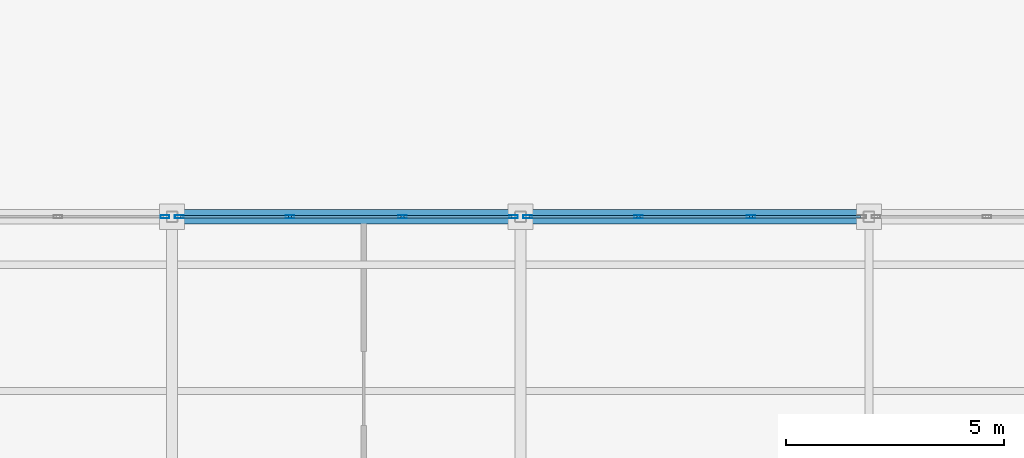
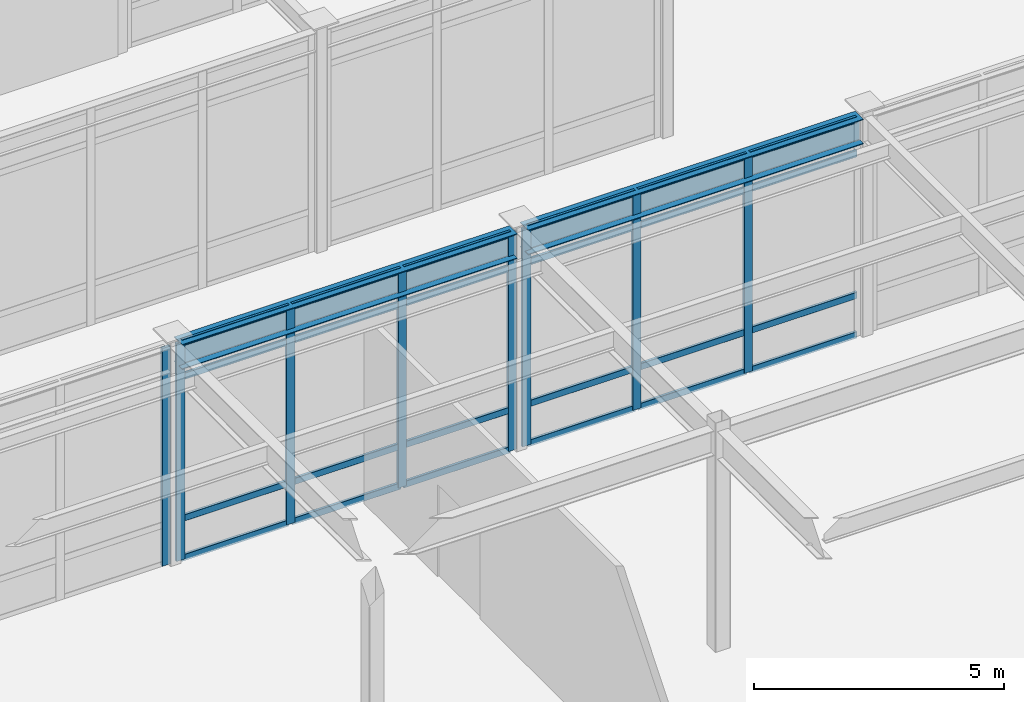
# One storey, part 55 of 128: 32 members, 2 beams, 3 elements without a shape of their own.
"""IFC4 building model written with IfcOpenShell, lengths in metres."""

from ifc_helpers import new_model, si_unit, direction, frame, origin, origin_2d, place, context, subcontext, project, spatial, hollow_rectangle, i_section, extrude, material, material_profile, profile_set, type_object, element, aggregate, save


model = new_model("IFC4")

# Units and contexts
model_context = context("Model", 3, precision=1e-05, world=origin(), true_north=direction((0.0, 1.0)))
body_context = subcontext(model_context, "Body", "Model", "MODEL_VIEW")
ifc_project = project(units=[si_unit("LENGTHUNIT", "METRE"), si_unit("AREAUNIT", "SQUARE_METRE"), si_unit("VOLUMEUNIT", "CUBIC_METRE"), si_unit("PLANEANGLEUNIT", "RADIAN"), si_unit("MASSUNIT", "GRAM", prefix="KILO")], contexts=[model_context])

# Site, building, storey
site_placement = place(None, origin())
site = spatial("IfcSite", under=ifc_project, at=site_placement, CompositionType="ELEMENT")
building_placement = place(site_placement, origin())
building = spatial("IfcBuilding", under=site, at=building_placement, Name="Solmirada Galleria", CompositionType="ELEMENT")
storey_placement = place(building_placement, origin())
storey = spatial("IfcBuildingStorey", under=building, at=storey_placement, Name="L00", CompositionType="ELEMENT", Elevation=0.0)

# Beams
ifc_material_1 = material(Name="Steel S355 / ASTM A992 Grade 50", Category="steel")
ifc_material_profile_1 = material_profile(ifc_material_1, i_section(OverallWidth=0.323974609375, OverallDepth=0.611083984375, WebThickness=0.0126953125, FlangeThickness=0.01904296875, FilletRadius=0.014892578125, at=origin_2d()), Name="W24X104")
ifc_profile_set_1 = profile_set([ifc_material_profile_1], Name="Steel S355 / ASTM A992 Grade 50")
beam_type = type_object("IfcBeamType", Name="BM-GIRD-W24A", PredefinedType="BEAM", material=ifc_profile_set_1)
for number, where, z_axis, x_axis, name in (
    (1, (120.126953125, 48.0, 5.054443359375), (1.0, 0.0, 0.0), (0.0, 1.0, 0.0), "Primary beam L01 X(120..128, 48)"),
    (2, (128.126953125, 48.0, 5.054443359375), (1.0, 0.0, 0.0), (0.0, 1.0, 0.0), "Primary beam L01 X(128..136, 48)"),
):
    element("IfcBeam", number, at=place(storey_placement, frame(where, z_axis=z_axis, x_axis=x_axis)), inside=storey, type_object=beam_type, Name=name, PredefinedType="BEAM", context=body_context, shape_type="SweptSolid", body=[
        extrude(i_section(OverallWidth=0.323974609375, OverallDepth=0.611083984375, WebThickness=0.0126953125, FlangeThickness=0.01904296875, FilletRadius=0.014892578125, at=origin_2d()), origin(), (0.0, 0.0, 1.0), 7.74609375),
    ])

# Curtain wall, member
ifc_material_2 = material(Name="Impact-resistant low-E double glazing", Category="glass")
curtain_wall_type_1 = type_object("IfcCurtainWallType", Name="CW-FZ5-L00-B3-L075", PredefinedType="NOTDEFINED", material=ifc_material_2)
curtain_wall_1_placement = place(storey_placement, origin())
curtain_wall_1 = element("IfcCurtainWall", 3, at=curtain_wall_1_placement, inside=storey, type_object=curtain_wall_type_1, Name="Terrace and arcade storefront CW-L00-019", PredefinedType="NOTDEFINED")
ifc_material_3 = material(Name="Anodised aluminium framing", Category="aluminium")
ifc_material_profile_2 = material_profile(ifc_material_3, hollow_rectangle(XDim=0.070068359375, YDim=0.199951171875, WallThickness=0.004150390625, InnerFilletRadius=0.004150390625, OuterFilletRadius=0.00830078125, at=origin_2d()), Name="ALU-MULL-200X70")
ifc_profile_set_2 = profile_set([ifc_material_profile_2], Name="Anodised aluminium framing")
member_type_1 = type_object("IfcMemberType", Name="CW-MULL-200", PredefinedType="MULLION", material=ifc_profile_set_2)
member_1_placement = place(storey_placement, frame((119.8359375, 48.0, 0.0), z_axis=(0.0, 0.0, 1.0), x_axis=(0.0, 1.0, 0.0)))
member_1 = element("IfcMember", 4, at=member_1_placement, type_object=member_type_1, Name="CW07 mullion 4", PredefinedType="MULLION", context=body_context, shape_type="SweptSolid", body=[
    extrude(hollow_rectangle(XDim=0.070068359375, YDim=0.199951171875, WallThickness=0.004150390625, InnerFilletRadius=0.004150390625, OuterFilletRadius=0.00830078125, at=origin_2d()), origin(), (0.0, 0.0, 1.0), 5.320068359375),
])
aggregate(curtain_wall_1, [member_1])

# Curtain wall, members
curtain_wall_type_2 = type_object("IfcCurtainWallType", Name="CW-FZ5-L00-B3-L077", PredefinedType="NOTDEFINED", material=ifc_material_2)
curtain_wall_2_placement = place(storey_placement, origin())
curtain_wall_2 = element("IfcCurtainWall", 5, at=curtain_wall_2_placement, inside=storey, type_object=curtain_wall_type_2, Name="Terrace and arcade storefront CW-L00-020", PredefinedType="NOTDEFINED")
member_2_placement = place(storey_placement, frame((120.1640625, 48.0, 0.0), z_axis=(0.0, 0.0, 1.0), x_axis=(0.0, 1.0, 0.0)))
member_2 = element("IfcMember", 6, at=member_2_placement, type_object=member_type_1, Name="CW08 mullion 1", PredefinedType="MULLION", context=body_context, shape_type="SweptSolid", body=[
    extrude(hollow_rectangle(XDim=0.070068359375, YDim=0.199951171875, WallThickness=0.004150390625, InnerFilletRadius=0.004150390625, OuterFilletRadius=0.00830078125, at=origin_2d()), origin(), (0.0, 0.0, 1.0), 5.320068359375),
])
member_3_placement = place(storey_placement, frame((122.709716796875, 48.0, 0.0), z_axis=(0.0, 0.0, 1.0), x_axis=(0.0, 1.0, 0.0)))
member_3 = element("IfcMember", 7, at=member_3_placement, type_object=member_type_1, Name="CW08 mullion 2", PredefinedType="MULLION", context=body_context, shape_type="SweptSolid", body=[
    extrude(hollow_rectangle(XDim=0.070068359375, YDim=0.199951171875, WallThickness=0.004150390625, InnerFilletRadius=0.004150390625, OuterFilletRadius=0.00830078125, at=origin_2d()), origin(), (0.0, 0.0, 1.0), 5.320068359375),
])
member_4_placement = place(storey_placement, frame((125.290283203125, 48.0, 0.0), z_axis=(0.0, 0.0, 1.0), x_axis=(0.0, 1.0, 0.0)))
member_4 = element("IfcMember", 8, at=member_4_placement, type_object=member_type_1, Name="CW08 mullion 3", PredefinedType="MULLION", context=body_context, shape_type="SweptSolid", body=[
    extrude(hollow_rectangle(XDim=0.070068359375, YDim=0.199951171875, WallThickness=0.004150390625, InnerFilletRadius=0.004150390625, OuterFilletRadius=0.00830078125, at=origin_2d()), origin(), (0.0, 0.0, 1.0), 5.320068359375),
])
member_5_placement = place(storey_placement, frame((127.8359375, 48.0, 0.0), z_axis=(0.0, 0.0, 1.0), x_axis=(0.0, 1.0, 0.0)))
member_5 = element("IfcMember", 9, at=member_5_placement, type_object=member_type_1, Name="CW08 mullion 4", PredefinedType="MULLION", context=body_context, shape_type="SweptSolid", body=[
    extrude(hollow_rectangle(XDim=0.070068359375, YDim=0.199951171875, WallThickness=0.004150390625, InnerFilletRadius=0.004150390625, OuterFilletRadius=0.00830078125, at=origin_2d()), origin(), (0.0, 0.0, 1.0), 5.320068359375),
])

curtain_wall_3_placement = place(storey_placement, origin())
curtain_wall_3 = element("IfcCurtainWall", 10, at=curtain_wall_3_placement, inside=storey, type_object=curtain_wall_type_2, Name="Terrace and arcade storefront CW-L00-021", PredefinedType="NOTDEFINED")
member_6_placement = place(storey_placement, frame((128.1640625, 48.0, 0.0), z_axis=(0.0, 0.0, 1.0), x_axis=(0.0, 1.0, 0.0)))
member_6 = element("IfcMember", 11, at=member_6_placement, type_object=member_type_1, Name="CW08 mullion 1", PredefinedType="MULLION", context=body_context, shape_type="SweptSolid", body=[
    extrude(hollow_rectangle(XDim=0.070068359375, YDim=0.199951171875, WallThickness=0.004150390625, InnerFilletRadius=0.004150390625, OuterFilletRadius=0.00830078125, at=origin_2d()), origin(), (0.0, 0.0, 1.0), 5.320068359375),
])
member_7_placement = place(storey_placement, frame((130.709716796875, 48.0, 0.0), z_axis=(0.0, 0.0, 1.0), x_axis=(0.0, 1.0, 0.0)))
member_7 = element("IfcMember", 12, at=member_7_placement, type_object=member_type_1, Name="CW08 mullion 2", PredefinedType="MULLION", context=body_context, shape_type="SweptSolid", body=[
    extrude(hollow_rectangle(XDim=0.070068359375, YDim=0.199951171875, WallThickness=0.004150390625, InnerFilletRadius=0.004150390625, OuterFilletRadius=0.00830078125, at=origin_2d()), origin(), (0.0, 0.0, 1.0), 5.320068359375),
])
member_8_placement = place(storey_placement, frame((133.290283203125, 48.0, 0.0), z_axis=(0.0, 0.0, 1.0), x_axis=(0.0, 1.0, 0.0)))
member_8 = element("IfcMember", 13, at=member_8_placement, type_object=member_type_1, Name="CW08 mullion 3", PredefinedType="MULLION", context=body_context, shape_type="SweptSolid", body=[
    extrude(hollow_rectangle(XDim=0.070068359375, YDim=0.199951171875, WallThickness=0.004150390625, InnerFilletRadius=0.004150390625, OuterFilletRadius=0.00830078125, at=origin_2d()), origin(), (0.0, 0.0, 1.0), 5.320068359375),
])

# Member
ifc_material_profile_3 = material_profile(ifc_material_3, hollow_rectangle(XDim=0.06494140625, YDim=0.159912109375, WallThickness=0.00390625, InnerFilletRadius=0.00390625, OuterFilletRadius=0.007568359375, at=origin_2d()), Name="ALU-TRAN-160X65")
ifc_profile_set_3 = profile_set([ifc_material_profile_3], Name="Anodised aluminium framing")
member_type_2 = type_object("IfcMemberType", Name="CW-TRAN-160", PredefinedType="USERDEFINED", material=ifc_profile_set_3)
member_9_placement = place(storey_placement, frame((120.198974609375, 48.0, 0.032470703125), z_axis=(1.0, 0.0, 0.0), x_axis=(0.0, 1.0, 0.0)))
member_9 = element("IfcMember", 14, at=member_9_placement, type_object=member_type_2, Name="CW08 transom 1.1", ObjectType="TRANSOM", PredefinedType="USERDEFINED", context=body_context, shape_type="SweptSolid", body=[
    extrude(hollow_rectangle(XDim=0.06494140625, YDim=0.159912109375, WallThickness=0.00390625, InnerFilletRadius=0.00390625, OuterFilletRadius=0.007568359375, at=origin_2d()), origin(), (0.0, 0.0, 1.0), 2.4755859375),
])

member_10_placement = place(storey_placement, frame((120.198974609375, 48.0, 1.0), z_axis=(1.0, 0.0, 0.0), x_axis=(0.0, 1.0, 0.0)))
member_10 = element("IfcMember", 15, at=member_10_placement, type_object=member_type_2, Name="CW08 transom 1.2", ObjectType="TRANSOM", PredefinedType="USERDEFINED", context=body_context, shape_type="SweptSolid", body=[
    extrude(hollow_rectangle(XDim=0.06494140625, YDim=0.159912109375, WallThickness=0.00390625, InnerFilletRadius=0.00390625, OuterFilletRadius=0.007568359375, at=origin_2d()), origin(), (0.0, 0.0, 1.0), 2.4755859375),
])

member_11_placement = place(storey_placement, frame((120.198974609375, 48.0, 4.4599609375), z_axis=(1.0, 0.0, 0.0), x_axis=(0.0, 1.0, 0.0)))
member_11 = element("IfcMember", 16, at=member_11_placement, type_object=member_type_2, Name="CW08 transom 1.3", ObjectType="TRANSOM", PredefinedType="USERDEFINED", context=body_context, shape_type="SweptSolid", body=[
    extrude(hollow_rectangle(XDim=0.06494140625, YDim=0.159912109375, WallThickness=0.00390625, InnerFilletRadius=0.00390625, OuterFilletRadius=0.007568359375, at=origin_2d()), origin(), (0.0, 0.0, 1.0), 2.4755859375),
])

member_12_placement = place(storey_placement, frame((120.198974609375, 48.0, 5.28759765625), z_axis=(1.0, 0.0, 0.0), x_axis=(0.0, 1.0, 0.0)))
member_12 = element("IfcMember", 17, at=member_12_placement, type_object=member_type_2, Name="CW08 transom 1.4", ObjectType="TRANSOM", PredefinedType="USERDEFINED", context=body_context, shape_type="SweptSolid", body=[
    extrude(hollow_rectangle(XDim=0.06494140625, YDim=0.159912109375, WallThickness=0.00390625, InnerFilletRadius=0.00390625, OuterFilletRadius=0.007568359375, at=origin_2d()), origin(), (0.0, 0.0, 1.0), 2.4755859375),
])

member_13_placement = place(storey_placement, frame((122.74462890625, 48.0, 0.032470703125), z_axis=(1.0, 0.0, 0.0), x_axis=(0.0, 1.0, 0.0)))
member_13 = element("IfcMember", 18, at=member_13_placement, type_object=member_type_2, Name="CW08 transom 2.1", ObjectType="TRANSOM", PredefinedType="USERDEFINED", context=body_context, shape_type="SweptSolid", body=[
    extrude(hollow_rectangle(XDim=0.06494140625, YDim=0.159912109375, WallThickness=0.00390625, InnerFilletRadius=0.00390625, OuterFilletRadius=0.007568359375, at=origin_2d()), origin(), (0.0, 0.0, 1.0), 2.5107421875),
])

member_14_placement = place(storey_placement, frame((122.74462890625, 48.0, 1.0), z_axis=(1.0, 0.0, 0.0), x_axis=(0.0, 1.0, 0.0)))
member_14 = element("IfcMember", 19, at=member_14_placement, type_object=member_type_2, Name="CW08 transom 2.2", ObjectType="TRANSOM", PredefinedType="USERDEFINED", context=body_context, shape_type="SweptSolid", body=[
    extrude(hollow_rectangle(XDim=0.06494140625, YDim=0.159912109375, WallThickness=0.00390625, InnerFilletRadius=0.00390625, OuterFilletRadius=0.007568359375, at=origin_2d()), origin(), (0.0, 0.0, 1.0), 2.5107421875),
])

member_15_placement = place(storey_placement, frame((122.74462890625, 48.0, 4.4599609375), z_axis=(1.0, 0.0, 0.0), x_axis=(0.0, 1.0, 0.0)))
member_15 = element("IfcMember", 20, at=member_15_placement, type_object=member_type_2, Name="CW08 transom 2.3", ObjectType="TRANSOM", PredefinedType="USERDEFINED", context=body_context, shape_type="SweptSolid", body=[
    extrude(hollow_rectangle(XDim=0.06494140625, YDim=0.159912109375, WallThickness=0.00390625, InnerFilletRadius=0.00390625, OuterFilletRadius=0.007568359375, at=origin_2d()), origin(), (0.0, 0.0, 1.0), 2.5107421875),
])

member_16_placement = place(storey_placement, frame((122.74462890625, 48.0, 5.28759765625), z_axis=(1.0, 0.0, 0.0), x_axis=(0.0, 1.0, 0.0)))
member_16 = element("IfcMember", 21, at=member_16_placement, type_object=member_type_2, Name="CW08 transom 2.4", ObjectType="TRANSOM", PredefinedType="USERDEFINED", context=body_context, shape_type="SweptSolid", body=[
    extrude(hollow_rectangle(XDim=0.06494140625, YDim=0.159912109375, WallThickness=0.00390625, InnerFilletRadius=0.00390625, OuterFilletRadius=0.007568359375, at=origin_2d()), origin(), (0.0, 0.0, 1.0), 2.5107421875),
])

member_17_placement = place(storey_placement, frame((125.325439453125, 48.0, 0.032470703125), z_axis=(1.0, 0.0, 0.0), x_axis=(0.0, 1.0, 0.0)))
member_17 = element("IfcMember", 22, at=member_17_placement, type_object=member_type_2, Name="CW08 transom 3.1", ObjectType="TRANSOM", PredefinedType="USERDEFINED", context=body_context, shape_type="SweptSolid", body=[
    extrude(hollow_rectangle(XDim=0.06494140625, YDim=0.159912109375, WallThickness=0.00390625, InnerFilletRadius=0.00390625, OuterFilletRadius=0.007568359375, at=origin_2d()), origin(), (0.0, 0.0, 1.0), 2.4755859375),
])

member_18_placement = place(storey_placement, frame((125.325439453125, 48.0, 1.0), z_axis=(1.0, 0.0, 0.0), x_axis=(0.0, 1.0, 0.0)))
member_18 = element("IfcMember", 23, at=member_18_placement, type_object=member_type_2, Name="CW08 transom 3.2", ObjectType="TRANSOM", PredefinedType="USERDEFINED", context=body_context, shape_type="SweptSolid", body=[
    extrude(hollow_rectangle(XDim=0.06494140625, YDim=0.159912109375, WallThickness=0.00390625, InnerFilletRadius=0.00390625, OuterFilletRadius=0.007568359375, at=origin_2d()), origin(), (0.0, 0.0, 1.0), 2.4755859375),
])

member_19_placement = place(storey_placement, frame((125.325439453125, 48.0, 4.4599609375), z_axis=(1.0, 0.0, 0.0), x_axis=(0.0, 1.0, 0.0)))
member_19 = element("IfcMember", 24, at=member_19_placement, type_object=member_type_2, Name="CW08 transom 3.3", ObjectType="TRANSOM", PredefinedType="USERDEFINED", context=body_context, shape_type="SweptSolid", body=[
    extrude(hollow_rectangle(XDim=0.06494140625, YDim=0.159912109375, WallThickness=0.00390625, InnerFilletRadius=0.00390625, OuterFilletRadius=0.007568359375, at=origin_2d()), origin(), (0.0, 0.0, 1.0), 2.4755859375),
])

member_20_placement = place(storey_placement, frame((125.325439453125, 48.0, 5.28759765625), z_axis=(1.0, 0.0, 0.0), x_axis=(0.0, 1.0, 0.0)))
member_20 = element("IfcMember", 25, at=member_20_placement, type_object=member_type_2, Name="CW08 transom 3.4", ObjectType="TRANSOM", PredefinedType="USERDEFINED", context=body_context, shape_type="SweptSolid", body=[
    extrude(hollow_rectangle(XDim=0.06494140625, YDim=0.159912109375, WallThickness=0.00390625, InnerFilletRadius=0.00390625, OuterFilletRadius=0.007568359375, at=origin_2d()), origin(), (0.0, 0.0, 1.0), 2.4755859375),
])

aggregate(curtain_wall_2, [member_2, member_3, member_4, member_5, member_9, member_10, member_11, member_12, member_13, member_14, member_15, member_16, member_17, member_18, member_19, member_20])

member_21_placement = place(storey_placement, frame((128.198974609375, 48.0, 0.032470703125), z_axis=(1.0, 0.0, 0.0), x_axis=(0.0, 1.0, 0.0)))
member_21 = element("IfcMember", 26, at=member_21_placement, type_object=member_type_2, Name="CW08 transom 1.1", ObjectType="TRANSOM", PredefinedType="USERDEFINED", context=body_context, shape_type="SweptSolid", body=[
    extrude(hollow_rectangle(XDim=0.06494140625, YDim=0.159912109375, WallThickness=0.00390625, InnerFilletRadius=0.00390625, OuterFilletRadius=0.007568359375, at=origin_2d()), origin(), (0.0, 0.0, 1.0), 2.4755859375),
])

member_22_placement = place(storey_placement, frame((128.198974609375, 48.0, 1.0), z_axis=(1.0, 0.0, 0.0), x_axis=(0.0, 1.0, 0.0)))
member_22 = element("IfcMember", 27, at=member_22_placement, type_object=member_type_2, Name="CW08 transom 1.2", ObjectType="TRANSOM", PredefinedType="USERDEFINED", context=body_context, shape_type="SweptSolid", body=[
    extrude(hollow_rectangle(XDim=0.06494140625, YDim=0.159912109375, WallThickness=0.00390625, InnerFilletRadius=0.00390625, OuterFilletRadius=0.007568359375, at=origin_2d()), origin(), (0.0, 0.0, 1.0), 2.4755859375),
])

member_23_placement = place(storey_placement, frame((128.198974609375, 48.0, 4.4599609375), z_axis=(1.0, 0.0, 0.0), x_axis=(0.0, 1.0, 0.0)))
member_23 = element("IfcMember", 28, at=member_23_placement, type_object=member_type_2, Name="CW08 transom 1.3", ObjectType="TRANSOM", PredefinedType="USERDEFINED", context=body_context, shape_type="SweptSolid", body=[
    extrude(hollow_rectangle(XDim=0.06494140625, YDim=0.159912109375, WallThickness=0.00390625, InnerFilletRadius=0.00390625, OuterFilletRadius=0.007568359375, at=origin_2d()), origin(), (0.0, 0.0, 1.0), 2.4755859375),
])

member_24_placement = place(storey_placement, frame((128.198974609375, 48.0, 5.28759765625), z_axis=(1.0, 0.0, 0.0), x_axis=(0.0, 1.0, 0.0)))
member_24 = element("IfcMember", 29, at=member_24_placement, type_object=member_type_2, Name="CW08 transom 1.4", ObjectType="TRANSOM", PredefinedType="USERDEFINED", context=body_context, shape_type="SweptSolid", body=[
    extrude(hollow_rectangle(XDim=0.06494140625, YDim=0.159912109375, WallThickness=0.00390625, InnerFilletRadius=0.00390625, OuterFilletRadius=0.007568359375, at=origin_2d()), origin(), (0.0, 0.0, 1.0), 2.4755859375),
])

member_25_placement = place(storey_placement, frame((130.74462890625, 48.0, 0.032470703125), z_axis=(1.0, 0.0, 0.0), x_axis=(0.0, 1.0, 0.0)))
member_25 = element("IfcMember", 30, at=member_25_placement, type_object=member_type_2, Name="CW08 transom 2.1", ObjectType="TRANSOM", PredefinedType="USERDEFINED", context=body_context, shape_type="SweptSolid", body=[
    extrude(hollow_rectangle(XDim=0.06494140625, YDim=0.159912109375, WallThickness=0.00390625, InnerFilletRadius=0.00390625, OuterFilletRadius=0.007568359375, at=origin_2d()), origin(), (0.0, 0.0, 1.0), 2.5107421875),
])

member_26_placement = place(storey_placement, frame((130.74462890625, 48.0, 1.0), z_axis=(1.0, 0.0, 0.0), x_axis=(0.0, 1.0, 0.0)))
member_26 = element("IfcMember", 31, at=member_26_placement, type_object=member_type_2, Name="CW08 transom 2.2", ObjectType="TRANSOM", PredefinedType="USERDEFINED", context=body_context, shape_type="SweptSolid", body=[
    extrude(hollow_rectangle(XDim=0.06494140625, YDim=0.159912109375, WallThickness=0.00390625, InnerFilletRadius=0.00390625, OuterFilletRadius=0.007568359375, at=origin_2d()), origin(), (0.0, 0.0, 1.0), 2.5107421875),
])

member_27_placement = place(storey_placement, frame((130.74462890625, 48.0, 4.4599609375), z_axis=(1.0, 0.0, 0.0), x_axis=(0.0, 1.0, 0.0)))
member_27 = element("IfcMember", 32, at=member_27_placement, type_object=member_type_2, Name="CW08 transom 2.3", ObjectType="TRANSOM", PredefinedType="USERDEFINED", context=body_context, shape_type="SweptSolid", body=[
    extrude(hollow_rectangle(XDim=0.06494140625, YDim=0.159912109375, WallThickness=0.00390625, InnerFilletRadius=0.00390625, OuterFilletRadius=0.007568359375, at=origin_2d()), origin(), (0.0, 0.0, 1.0), 2.5107421875),
])

member_28_placement = place(storey_placement, frame((130.74462890625, 48.0, 5.28759765625), z_axis=(1.0, 0.0, 0.0), x_axis=(0.0, 1.0, 0.0)))
member_28 = element("IfcMember", 33, at=member_28_placement, type_object=member_type_2, Name="CW08 transom 2.4", ObjectType="TRANSOM", PredefinedType="USERDEFINED", context=body_context, shape_type="SweptSolid", body=[
    extrude(hollow_rectangle(XDim=0.06494140625, YDim=0.159912109375, WallThickness=0.00390625, InnerFilletRadius=0.00390625, OuterFilletRadius=0.007568359375, at=origin_2d()), origin(), (0.0, 0.0, 1.0), 2.5107421875),
])

member_29_placement = place(storey_placement, frame((133.325439453125, 48.0, 0.032470703125), z_axis=(1.0, 0.0, 0.0), x_axis=(0.0, 1.0, 0.0)))
member_29 = element("IfcMember", 34, at=member_29_placement, type_object=member_type_2, Name="CW08 transom 3.1", ObjectType="TRANSOM", PredefinedType="USERDEFINED", context=body_context, shape_type="SweptSolid", body=[
    extrude(hollow_rectangle(XDim=0.06494140625, YDim=0.159912109375, WallThickness=0.00390625, InnerFilletRadius=0.00390625, OuterFilletRadius=0.007568359375, at=origin_2d()), origin(), (0.0, 0.0, 1.0), 2.4755859375),
])

member_30_placement = place(storey_placement, frame((133.325439453125, 48.0, 1.0), z_axis=(1.0, 0.0, 0.0), x_axis=(0.0, 1.0, 0.0)))
member_30 = element("IfcMember", 35, at=member_30_placement, type_object=member_type_2, Name="CW08 transom 3.2", ObjectType="TRANSOM", PredefinedType="USERDEFINED", context=body_context, shape_type="SweptSolid", body=[
    extrude(hollow_rectangle(XDim=0.06494140625, YDim=0.159912109375, WallThickness=0.00390625, InnerFilletRadius=0.00390625, OuterFilletRadius=0.007568359375, at=origin_2d()), origin(), (0.0, 0.0, 1.0), 2.4755859375),
])

member_31_placement = place(storey_placement, frame((133.325439453125, 48.0, 4.4599609375), z_axis=(1.0, 0.0, 0.0), x_axis=(0.0, 1.0, 0.0)))
member_31 = element("IfcMember", 36, at=member_31_placement, type_object=member_type_2, Name="CW08 transom 3.3", ObjectType="TRANSOM", PredefinedType="USERDEFINED", context=body_context, shape_type="SweptSolid", body=[
    extrude(hollow_rectangle(XDim=0.06494140625, YDim=0.159912109375, WallThickness=0.00390625, InnerFilletRadius=0.00390625, OuterFilletRadius=0.007568359375, at=origin_2d()), origin(), (0.0, 0.0, 1.0), 2.4755859375),
])

member_32_placement = place(storey_placement, frame((133.325439453125, 48.0, 5.28759765625), z_axis=(1.0, 0.0, 0.0), x_axis=(0.0, 1.0, 0.0)))
member_32 = element("IfcMember", 37, at=member_32_placement, type_object=member_type_2, Name="CW08 transom 3.4", ObjectType="TRANSOM", PredefinedType="USERDEFINED", context=body_context, shape_type="SweptSolid", body=[
    extrude(hollow_rectangle(XDim=0.06494140625, YDim=0.159912109375, WallThickness=0.00390625, InnerFilletRadius=0.00390625, OuterFilletRadius=0.007568359375, at=origin_2d()), origin(), (0.0, 0.0, 1.0), 2.4755859375),
])

aggregate(curtain_wall_3, [member_6, member_7, member_8, member_21, member_22, member_23, member_24, member_25, member_26, member_27, member_28, member_29, member_30, member_31, member_32])

save(model, "model.ifc")
